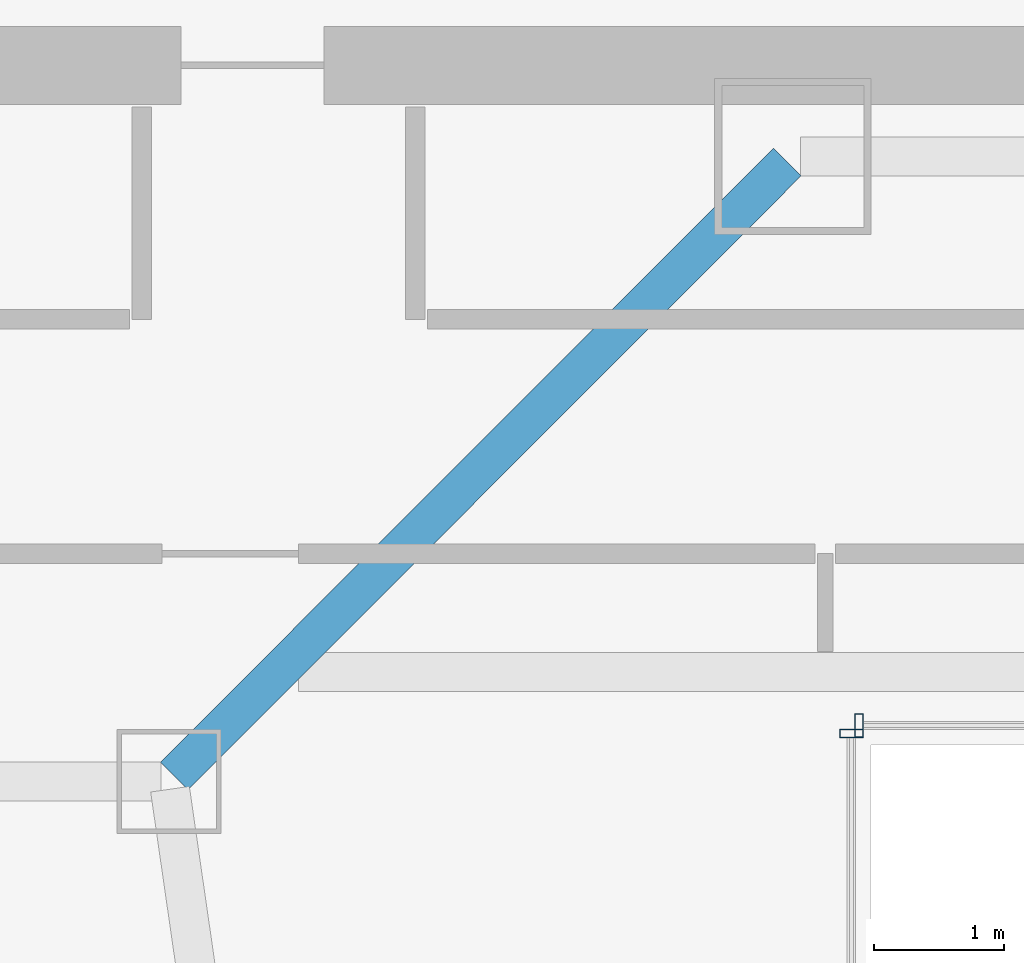
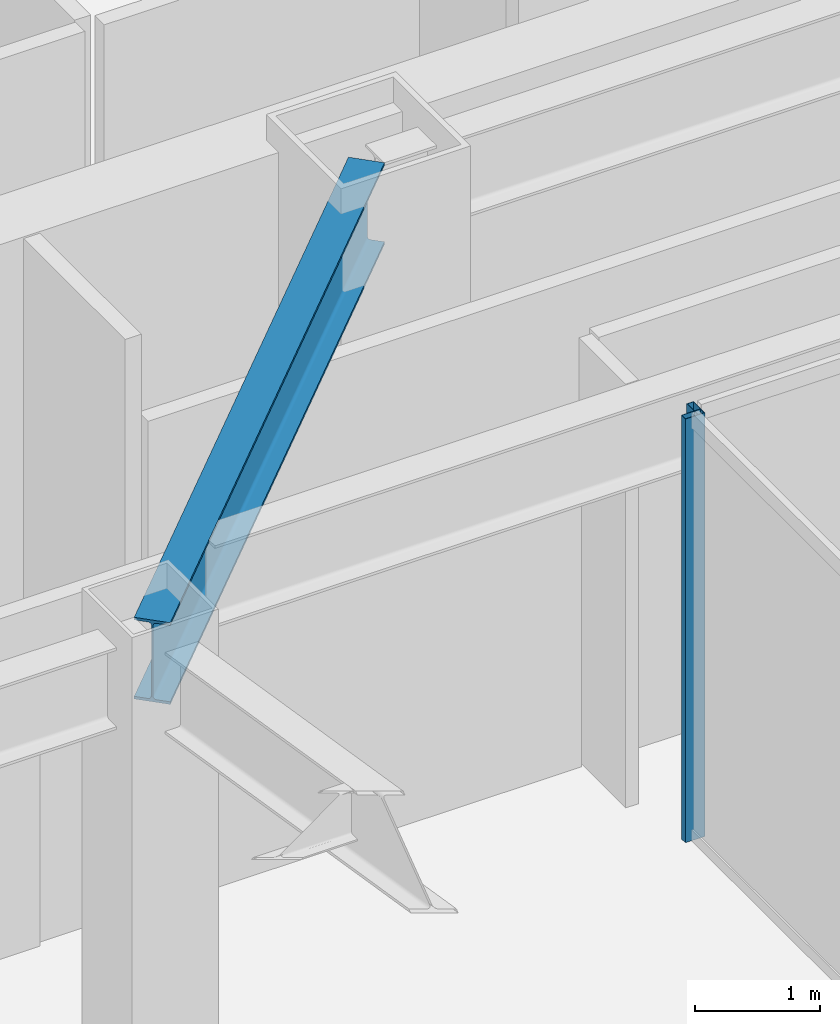
# One storey, part 24 of 47: 2 members, 1 beam, 2 elements without a shape of their own.
"""IFC4 building model written with IfcOpenShell, lengths in metres."""

from ifc_helpers import new_model, si_unit, direction, frame, origin, origin_2d, place, context, subcontext, project, spatial, hollow_rectangle, i_section, extrude, material, material_profile, profile_set, type_object, element, aggregate, save


model = new_model("IFC4")

# Units and contexts
model_context = context("Model", 3, precision=1e-05, world=origin(), true_north=direction((0.0, 1.0)))
body_context = subcontext(model_context, "Body", "Model", "MODEL_VIEW")
ifc_project = project(units=[si_unit("LENGTHUNIT", "METRE"), si_unit("AREAUNIT", "SQUARE_METRE"), si_unit("VOLUMEUNIT", "CUBIC_METRE"), si_unit("PLANEANGLEUNIT", "RADIAN"), si_unit("MASSUNIT", "GRAM", prefix="KILO")], contexts=[model_context])

# Site, building, storey
site_placement = place(None, origin())
site = spatial("IfcSite", under=ifc_project, at=site_placement, CompositionType="ELEMENT")
building_placement = place(site_placement, origin())
building = spatial("IfcBuilding", under=site, at=building_placement, Name="Saevonmaru Cultural Tower", CompositionType="ELEMENT")
storey_placement = place(building_placement, frame((0.0, 0.0, 64.800048828125)))
storey = spatial("IfcBuildingStorey", under=building, at=storey_placement, Name="L13", CompositionType="ELEMENT", Elevation=64.800048828125)

# Beam
ifc_material_1 = material(Name="Steel SM420", Category="steel")
ifc_material_profile_1 = material_profile(ifc_material_1, i_section(OverallWidth=0.300048828125, OverallDepth=0.800048828125, WebThickness=0.013916015625, FlangeThickness=0.02587890625, FilletRadius=0.028076171875, at=origin_2d()), Name="H-800x300x14x26")
ifc_profile_set_1 = profile_set([ifc_material_profile_1], Name="Steel SM420")
beam_type = type_object("IfcBeamType", Name="BM-G-H800", PredefinedType="BEAM", material=ifc_profile_set_1)
beam_placement = place(storey_placement, frame((18.850341796875, 37.642578125, 3.75), z_axis=(0.706538566564, 0.707674539572, 0.0), x_axis=(-0.707674539572, 0.706538566564, 0.0)))
element("IfcBeam", 1, at=beam_placement, inside=storey, type_object=beam_type, Name="L13 West Atrium Girder 6", PredefinedType="BEAM", context=body_context, shape_type="SweptSolid", body=[
    extrude(i_section(OverallWidth=0.300048828125, OverallDepth=0.800048828125, WebThickness=0.013916015625, FlangeThickness=0.02587890625, FilletRadius=0.028076171875, at=origin_2d()), origin(), (0.0, 0.0, 1.0), 6.662353515625),
])

# Curtain wall, member
ifc_material_2 = material(Name="Satin Bronze Anodised Aluminium", Category="aluminium")
curtain_wall_type = type_object("IfcCurtainWallType", Name="CW-ATR-GLZ", PredefinedType="NOTDEFINED", material=ifc_material_2)
curtain_wall_1_placement = place(storey_placement, origin())
curtain_wall_1 = element("IfcCurtainWall", 2, at=curtain_wall_1_placement, inside=storey, type_object=curtain_wall_type, Name="L13 Vertical Atrium Glazed Smoke Screen 3", PredefinedType="NOTDEFINED")
ifc_material_profile_2 = material_profile(ifc_material_2, hollow_rectangle(XDim=0.06494140625, YDim=0.179931640625, WallThickness=0.00390625, at=origin_2d()), Name="ALU-MULL-180x65x4")
ifc_profile_set_2 = profile_set([ifc_material_profile_2], Name="Satin Bronze Anodised Aluminium")
member_type = type_object("IfcMemberType", Name="ML-CW-INT-180x65", PredefinedType="MULLION", material=ifc_profile_set_2)
member_1_placement = place(storey_placement, frame((24.110107421875, 38.030029296875, 0.0), z_axis=(0.0, 0.0, 1.0), x_axis=(-1.0, 0.0, 0.0)))
member_1 = element("IfcMember", 3, at=member_1_placement, type_object=member_type, Name="CW-ATR-L13-3 mullion 2", PredefinedType="MULLION", context=body_context, shape_type="SweptSolid", body=[
    extrude(hollow_rectangle(XDim=0.06494140625, YDim=0.179931640625, WallThickness=0.00390625, at=origin_2d()), origin(), (0.0, 0.0, 1.0), 4.14990234375),
])
aggregate(curtain_wall_1, [member_1])

curtain_wall_2_placement = place(storey_placement, origin())
curtain_wall_2 = element("IfcCurtainWall", 4, at=curtain_wall_2_placement, inside=storey, type_object=curtain_wall_type, Name="L13 Vertical Atrium Glazed Smoke Screen 4", PredefinedType="NOTDEFINED")
member_2_placement = place(storey_placement, frame((24.050048828125, 37.969970703125, 0.0), z_axis=(0.0, 0.0, 1.0), x_axis=(0.0, -1.0, 0.0)))
member_2 = element("IfcMember", 5, at=member_2_placement, type_object=member_type, Name="CW-ATR-L13-4 mullion 1", PredefinedType="MULLION", context=body_context, shape_type="SweptSolid", body=[
    extrude(hollow_rectangle(XDim=0.06494140625, YDim=0.179931640625, WallThickness=0.00390625, at=origin_2d()), origin(), (0.0, 0.0, 1.0), 4.14990234375),
])
aggregate(curtain_wall_2, [member_2])

save(model, "model.ifc")
